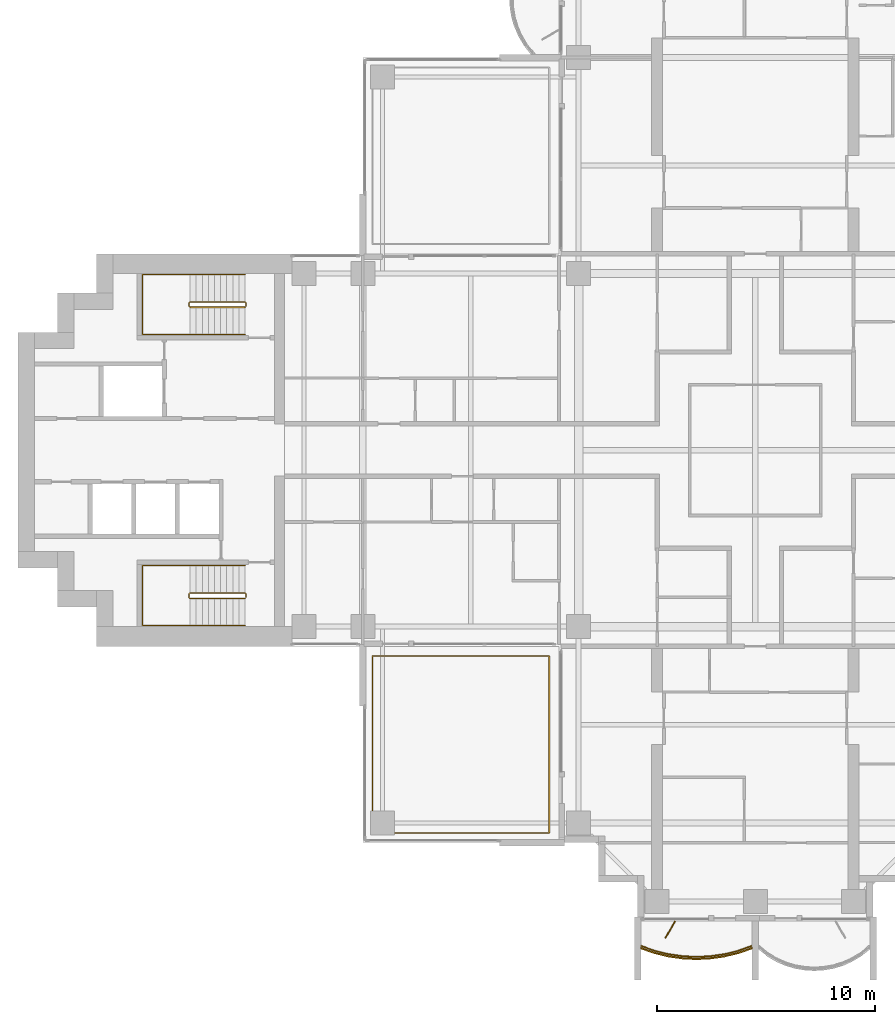
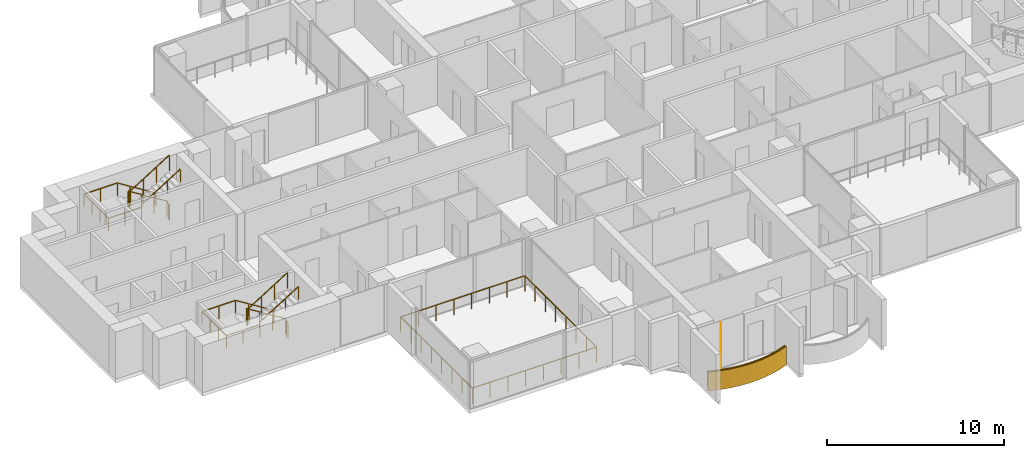
# One storey, part 16 of 19: 6 railings, 1 covering, 1 shading device.
"""IFC4 building model written with IfcOpenShell, lengths in metres."""

from ifc_helpers import new_model, si_unit, direction, frame, origin, origin_2d, place, context, subcontext, project, spatial, polyline, rectangle, outline, extrude, material, layer, layer_set, type_object, element, save


model = new_model("IFC4")

# Units and contexts
model_context = context("Model", 3, precision=1e-05, world=origin(), true_north=direction((0.0, 1.0)))
body_context = subcontext(model_context, "Body", "Model", "MODEL_VIEW")
ifc_project = project(units=[si_unit("LENGTHUNIT", "METRE"), si_unit("AREAUNIT", "SQUARE_METRE"), si_unit("VOLUMEUNIT", "CUBIC_METRE"), si_unit("PLANEANGLEUNIT", "RADIAN"), si_unit("MASSUNIT", "GRAM", prefix="KILO")], contexts=[model_context])

# Site, building, storey
site_placement = place(None, origin())
site = spatial("IfcSite", under=ifc_project, at=site_placement, CompositionType="ELEMENT")
building_placement = place(site_placement, origin())
building = spatial("IfcBuilding", under=site, at=building_placement, Name="Perihelion Cross Residences", CompositionType="ELEMENT")
storey_placement = place(building_placement, frame((0.0, 0.0, 119.89990234375)))
storey = spatial("IfcBuildingStorey", under=building, at=storey_placement, Name="L28", CompositionType="ELEMENT", Elevation=119.89990234375)

# Covering
ifc_material_1 = material(Name="Bronze anodised aluminium", Category="aluminium")
ifc_layer_1 = layer(ifc_material_1, 0.070068359375)
ifc_layer_set_1 = layer_set([ifc_layer_1], Name="Balcony fascia 1300")
covering_type = type_object("IfcCoveringType", Name="Balcony fascia 1300", PredefinedType="CLADDING", material=ifc_layer_set_1)
covering_placement = place(storey_placement, frame((0.0, 0.0, -0.199951171875)))
element("IfcCovering", 1, at=covering_placement, inside=storey, type_object=covering_type, Name="Fascia BF1 L28 south tip south bay 1", PredefinedType="CLADDING", context=body_context, shape_type="SweptSolid", body=[
    extrude(outline(polyline([(-4.63232421875, -23.090576171875), (-3.98828125, -23.247314453125), (-3.34423828125, -23.339599609375), (-2.699951171875, -23.3701171875), (-2.055908203125, -23.339599609375), (-1.411865234375, -23.247314453125), (-0.767578125, -23.090576171875), (-0.14990234375, -22.874267578125), (-0.14990234375, -22.800048828125), (-0.78759765625, -23.0234375), (-1.425048828125, -23.178466796875), (-2.0625, -23.269775390625), (-2.699951171875, -23.300048828125), (-3.33740234375, -23.269775390625), (-3.97509765625, -23.178466796875), (-4.612548828125, -23.0234375), (-5.25, -22.800048828125), (-5.25, -22.874267578125), (-4.63232421875, -23.090576171875)])), origin(), (0.0, 0.0, 1.0), 1.300048828125),
])

# Railings
ifc_material_2 = material(Name="Bronze anodised aluminium", Category="aluminium")
railing_type_1 = type_object("IfcRailingType", Name="Balcony guard 1100", PredefinedType="GUARDRAIL", material=ifc_material_2)
railing_1_placement = place(storey_placement, frame((-5.22509765625, -22.739990234375, 0.0)))
element("IfcRailing", 2, at=railing_1_placement, inside=storey, type_object=railing_type_1, Name="Guard GU1 L28 south tip south bay 1 balcony", PredefinedType="GUARDRAIL", context=body_context, shape_type="SweptSolid", body=[
    extrude(rectangle(XDim=0.048095703125, YDim=0.048095703125, at=origin_2d()), frame((0.0, 0.0, 1.076171875), z_axis=(0.939355405384, -0.342945217749, 0.0), x_axis=(0.342945217749, 0.939355405384, 0.0)), (0.0, 0.0, 1.0), 0.652099609375),
    extrude(rectangle(XDim=0.048095703125, YDim=0.048095703125, at=origin_2d()), frame((0.612548828125, -0.2236328125, 1.076171875), z_axis=(0.971676841941, -0.236313594268, 0.0), x_axis=(0.236313594268, 0.971676841941, 0.0)), (0.0, 0.0, 1.0), 0.656005859375),
    extrude(rectangle(XDim=0.048095703125, YDim=0.048095703125, at=origin_2d()), frame((1.25, -0.378662109375, 1.076171875), z_axis=(0.989903964498, -0.141739694763, 0.0), x_axis=(0.141739694763, 0.989903964498, 0.0)), (0.0, 0.0, 1.0), 0.644287109375),
    extrude(rectangle(XDim=0.048095703125, YDim=0.048095703125, at=origin_2d()), frame((1.8876953125, -0.469970703125, 1.076171875), z_axis=(0.998892243319, -0.04705620296, 0.0), x_axis=(0.04705620296, 0.998892243319, 0.0)), (0.0, 0.0, 1.0), 0.63818359375),
    extrude(rectangle(XDim=0.048095703125, YDim=0.048095703125, at=origin_2d()), frame((2.525146484375, -0.5, 1.076171875), z_axis=(0.998892243319, 0.04705620296, 0.0), x_axis=(-0.04705620296, 0.998892243319, 0.0)), (0.0, 0.0, 1.0), 0.63818359375),
    extrude(rectangle(XDim=0.048095703125, YDim=0.048095703125, at=origin_2d()), frame((3.16259765625, -0.469970703125, 1.076171875), z_axis=(0.989896346386, 0.141792889142, 0.0), x_axis=(-0.141792889142, 0.989896346386, 0.0)), (0.0, 0.0, 1.0), 0.64404296875),
    extrude(rectangle(XDim=0.048095703125, YDim=0.048095703125, at=origin_2d()), frame((3.800048828125, -0.378662109375, 1.076171875), z_axis=(0.971676841941, 0.236313594268, 0.0), x_axis=(-0.236313594268, 0.971676841941, 0.0)), (0.0, 0.0, 1.0), 0.656005859375),
    extrude(rectangle(XDim=0.048095703125, YDim=0.048095703125, at=origin_2d()), frame((4.4375, -0.2236328125, 1.076171875), z_axis=(0.939355405384, 0.342945217749, 0.0), x_axis=(-0.342945217749, 0.939355405384, 0.0)), (0.0, 0.0, 1.0), 0.652099609375),
    extrude(rectangle(XDim=0.0419921875, YDim=0.0419921875, at=origin_2d()), origin(), (0.0, 0.0, 1.0), 1.052001953125),
    extrude(rectangle(XDim=0.0419921875, YDim=0.0419921875, at=origin_2d()), frame((0.612548828125, -0.2236328125, 0.0)), (0.0, 0.0, 1.0), 1.052001953125),
    extrude(rectangle(XDim=0.0419921875, YDim=0.0419921875, at=origin_2d()), frame((1.25, -0.378662109375, 0.0)), (0.0, 0.0, 1.0), 1.052001953125),
    extrude(rectangle(XDim=0.0419921875, YDim=0.0419921875, at=origin_2d()), frame((1.8876953125, -0.469970703125, 0.0)), (0.0, 0.0, 1.0), 1.052001953125),
    extrude(rectangle(XDim=0.0419921875, YDim=0.0419921875, at=origin_2d()), frame((2.525146484375, -0.5, 0.0)), (0.0, 0.0, 1.0), 1.052001953125),
    extrude(rectangle(XDim=0.0419921875, YDim=0.0419921875, at=origin_2d()), frame((3.16259765625, -0.469970703125, 0.0)), (0.0, 0.0, 1.0), 1.052001953125),
    extrude(rectangle(XDim=0.0419921875, YDim=0.0419921875, at=origin_2d()), frame((3.800048828125, -0.378662109375, 0.0)), (0.0, 0.0, 1.0), 1.052001953125),
    extrude(rectangle(XDim=0.0419921875, YDim=0.0419921875, at=origin_2d()), frame((4.4375, -0.2236328125, 0.0)), (0.0, 0.0, 1.0), 1.052001953125),
    extrude(rectangle(XDim=0.0419921875, YDim=0.0419921875, at=origin_2d()), frame((5.050048828125, 0.0, 0.0)), (0.0, 0.0, 1.0), 1.052001953125),
])
railing_2_placement = place(storey_placement, frame((-9.449951171875, -17.550048828125, 0.0)))
element("IfcRailing", 3, at=railing_2_placement, inside=storey, type_object=railing_type_1, Name="Guard GU1 L28 pocket south-west 1", PredefinedType="GUARDRAIL", context=body_context, shape_type="SweptSolid", body=[
    extrude(rectangle(XDim=0.048095703125, YDim=0.048095703125, at=origin_2d()), frame((0.0, 0.0, 1.076171875), z_axis=(-1.0, 0.0, 0.0), x_axis=(0.0, -1.0, 0.0)), (0.0, 0.0, 1.0), 8.10009765625),
    extrude(rectangle(XDim=0.048095703125, YDim=0.048095703125, at=origin_2d()), frame((-8.10009765625, 0.0, 1.076171875), z_axis=(0.0, 1.0, 0.0), x_axis=(-1.0, 0.0, 0.0)), (0.0, 0.0, 1.0), 8.10009765625),
    extrude(rectangle(XDim=0.048095703125, YDim=0.048095703125, at=origin_2d()), frame((-8.10009765625, 8.10009765625, 1.076171875), z_axis=(1.0, 0.0, 0.0), x_axis=(0.0, 1.0, 0.0)), (0.0, 0.0, 1.0), 8.10009765625),
    extrude(rectangle(XDim=0.048095703125, YDim=0.048095703125, at=origin_2d()), frame((0.0, 8.10009765625, 1.076171875), z_axis=(0.0, -1.0, 0.0), x_axis=(1.0, 0.0, 0.0)), (0.0, 0.0, 1.0), 8.10009765625),
    extrude(rectangle(XDim=0.0419921875, YDim=0.0419921875, at=origin_2d()), origin(), (0.0, 0.0, 1.0), 1.052001953125),
    extrude(rectangle(XDim=0.0419921875, YDim=0.0419921875, at=origin_2d()), frame((-1.1572265625, 0.0, 0.0)), (0.0, 0.0, 1.0), 1.052001953125),
    extrude(rectangle(XDim=0.0419921875, YDim=0.0419921875, at=origin_2d()), frame((-2.314208984375, 0.0, 0.0)), (0.0, 0.0, 1.0), 1.052001953125),
    extrude(rectangle(XDim=0.0419921875, YDim=0.0419921875, at=origin_2d()), frame((-3.471435546875, 0.0, 0.0)), (0.0, 0.0, 1.0), 1.052001953125),
    extrude(rectangle(XDim=0.0419921875, YDim=0.0419921875, at=origin_2d()), frame((-4.628662109375, 0.0, 0.0)), (0.0, 0.0, 1.0), 1.052001953125),
    extrude(rectangle(XDim=0.0419921875, YDim=0.0419921875, at=origin_2d()), frame((-5.785888671875, 0.0, 0.0)), (0.0, 0.0, 1.0), 1.052001953125),
    extrude(rectangle(XDim=0.0419921875, YDim=0.0419921875, at=origin_2d()), frame((-6.94287109375, 0.0, 0.0)), (0.0, 0.0, 1.0), 1.052001953125),
    extrude(rectangle(XDim=0.0419921875, YDim=0.0419921875, at=origin_2d()), frame((-8.10009765625, 0.0, 0.0)), (0.0, 0.0, 1.0), 1.052001953125),
    extrude(rectangle(XDim=0.0419921875, YDim=0.0419921875, at=origin_2d()), frame((-8.10009765625, 1.1572265625, 0.0)), (0.0, 0.0, 1.0), 1.052001953125),
    extrude(rectangle(XDim=0.0419921875, YDim=0.0419921875, at=origin_2d()), frame((-8.10009765625, 2.314208984375, 0.0)), (0.0, 0.0, 1.0), 1.052001953125),
    extrude(rectangle(XDim=0.0419921875, YDim=0.0419921875, at=origin_2d()), frame((-8.10009765625, 3.471435546875, 0.0)), (0.0, 0.0, 1.0), 1.052001953125),
    extrude(rectangle(XDim=0.0419921875, YDim=0.0419921875, at=origin_2d()), frame((-8.10009765625, 4.628662109375, 0.0)), (0.0, 0.0, 1.0), 1.052001953125),
    extrude(rectangle(XDim=0.0419921875, YDim=0.0419921875, at=origin_2d()), frame((-8.10009765625, 5.785888671875, 0.0)), (0.0, 0.0, 1.0), 1.052001953125),
    extrude(rectangle(XDim=0.0419921875, YDim=0.0419921875, at=origin_2d()), frame((-8.10009765625, 6.94287109375, 0.0)), (0.0, 0.0, 1.0), 1.052001953125),
    extrude(rectangle(XDim=0.0419921875, YDim=0.0419921875, at=origin_2d()), frame((-8.10009765625, 8.10009765625, 0.0)), (0.0, 0.0, 1.0), 1.052001953125),
    extrude(rectangle(XDim=0.0419921875, YDim=0.0419921875, at=origin_2d()), frame((-6.94287109375, 8.10009765625, 0.0)), (0.0, 0.0, 1.0), 1.052001953125),
    extrude(rectangle(XDim=0.0419921875, YDim=0.0419921875, at=origin_2d()), frame((-5.785888671875, 8.10009765625, 0.0)), (0.0, 0.0, 1.0), 1.052001953125),
    extrude(rectangle(XDim=0.0419921875, YDim=0.0419921875, at=origin_2d()), frame((-4.628662109375, 8.10009765625, 0.0)), (0.0, 0.0, 1.0), 1.052001953125),
    extrude(rectangle(XDim=0.0419921875, YDim=0.0419921875, at=origin_2d()), frame((-3.471435546875, 8.10009765625, 0.0)), (0.0, 0.0, 1.0), 1.052001953125),
    extrude(rectangle(XDim=0.0419921875, YDim=0.0419921875, at=origin_2d()), frame((-2.314208984375, 8.10009765625, 0.0)), (0.0, 0.0, 1.0), 1.052001953125),
    extrude(rectangle(XDim=0.0419921875, YDim=0.0419921875, at=origin_2d()), frame((-1.1572265625, 8.10009765625, 0.0)), (0.0, 0.0, 1.0), 1.052001953125),
    extrude(rectangle(XDim=0.0419921875, YDim=0.0419921875, at=origin_2d()), frame((0.0, 8.10009765625, 0.0)), (0.0, 0.0, 1.0), 1.052001953125),
    extrude(rectangle(XDim=0.0419921875, YDim=0.0419921875, at=origin_2d()), frame((0.0, 6.94287109375, 0.0)), (0.0, 0.0, 1.0), 1.052001953125),
    extrude(rectangle(XDim=0.0419921875, YDim=0.0419921875, at=origin_2d()), frame((0.0, 5.785888671875, 0.0)), (0.0, 0.0, 1.0), 1.052001953125),
    extrude(rectangle(XDim=0.0419921875, YDim=0.0419921875, at=origin_2d()), frame((0.0, 4.628662109375, 0.0)), (0.0, 0.0, 1.0), 1.052001953125),
    extrude(rectangle(XDim=0.0419921875, YDim=0.0419921875, at=origin_2d()), frame((0.0, 3.471435546875, 0.0)), (0.0, 0.0, 1.0), 1.052001953125),
    extrude(rectangle(XDim=0.0419921875, YDim=0.0419921875, at=origin_2d()), frame((0.0, 2.314208984375, 0.0)), (0.0, 0.0, 1.0), 1.052001953125),
    extrude(rectangle(XDim=0.0419921875, YDim=0.0419921875, at=origin_2d()), frame((0.0, 1.1572265625, 0.0)), (0.0, 0.0, 1.0), 1.052001953125),
])

# Shading device
ifc_material_3 = material(Name="Bronze anodised aluminium", Category="aluminium")
ifc_layer_2 = layer(ifc_material_3, 0.050048828125)
ifc_layer_set_2 = layer_set([ifc_layer_2], Name="Bronze fin 900")
shading_device_type = type_object("IfcShadingDeviceType", Name="Bronze fin 900", PredefinedType="USERDEFINED", material=ifc_layer_set_2)
shading_device_placement = place(storey_placement, frame((-3.89990234375, -21.98974609375, 0.0), z_axis=(0.0, 0.0, 1.0), x_axis=(-0.5, -0.866025403784, 0.0)))
element("IfcShadingDevice", 4, at=shading_device_placement, inside=storey, type_object=shading_device_type, Name="Fin FN1 L28 south tip south bay 1", ObjectType="FIN", PredefinedType="USERDEFINED", context=body_context, shape_type="SweptSolid", body=[
    extrude(rectangle(XDim=0.89990234375, YDim=0.050048828125, at=origin_2d()), origin(), (0.0, 0.0, 1.0), 3.25),
])

# Railings
ifc_material_4 = material(Name="Stainless steel", Category="steel")
railing_type_2 = type_object("IfcRailingType", Name="Stair guard 1100", PredefinedType="GUARDRAIL", material=ifc_material_4)
railing_3_placement = place(storey_placement, frame((-23.35009765625, 6.60009765625, 0.0)))
element("IfcRailing", 5, at=railing_3_placement, inside=storey, type_object=railing_type_2, Name="L28 ST-W1 stair guard 1", PredefinedType="GUARDRAIL", context=body_context, shape_type="SweptSolid", body=[
    extrude(rectangle(XDim=0.048095703125, YDim=0.048095703125, at=origin_2d()), frame((0.0, 0.0, 1.076171875), z_axis=(0.0, 1.0, 0.0), x_axis=(-1.0, 0.0, 0.0)), (0.0, 0.0, 1.0), 0.14990234375),
    extrude(rectangle(XDim=0.048095703125, YDim=0.048095703125, at=origin_2d()), frame((0.0, 0.14990234375, 1.076171875), z_axis=(-0.263862480399, 0.265155923931, 0.927399011991), x_axis=(-0.708833529934, -0.705375805398, 0.0)), (0.0, 0.0, 1.0), 0.188720703125),
    extrude(rectangle(XDim=0.048095703125, YDim=0.048095703125, at=origin_2d()), frame((-0.0498046875, 0.199951171875, 1.2509765625), z_axis=(-0.848007534815, 0.0, 0.529984170421), x_axis=(0.0, -1.0, 0.0)), (0.0, 0.0, 1.0), 2.9716796875),
    extrude(rectangle(XDim=0.048095703125, YDim=0.048095703125, at=origin_2d()), frame((-2.56982421875, 0.199951171875, 2.826171875), z_axis=(-0.707106781187, -0.707106781187, 0.0), x_axis=(0.707106781187, -0.707106781187, 0.0)), (0.0, 0.0, 1.0), 0.07080078125),
    extrude(rectangle(XDim=0.048095703125, YDim=0.048095703125, at=origin_2d()), frame((-2.619873046875, 0.14990234375, 2.826171875), z_axis=(0.0, -1.0, 0.0), x_axis=(1.0, 0.0, 0.0)), (0.0, 0.0, 1.0), 0.14990234375),
    extrude(rectangle(XDim=0.048095703125, YDim=0.048095703125, at=origin_2d()), frame((-2.619873046875, 0.0, 2.826171875), z_axis=(0.265065253269, -0.265065253269, 0.927081885822), x_axis=(0.707106781187, 0.707106781187, 0.0)), (0.0, 0.0, 1.0), 0.188720703125),
    extrude(rectangle(XDim=0.048095703125, YDim=0.048095703125, at=origin_2d()), frame((-2.56982421875, -0.050048828125, 3.0009765625), z_axis=(0.848007534815, 0.0, 0.529984170421), x_axis=(0.0, 1.0, 0.0)), (0.0, 0.0, 1.0), 2.9716796875),
    extrude(rectangle(XDim=0.0419921875, YDim=0.0419921875, at=origin_2d()), origin(), (0.0, 0.0, 1.0), 1.052001953125),
    extrude(rectangle(XDim=0.0419921875, YDim=0.0419921875, at=origin_2d()), frame((0.0, 0.14990234375, 0.0)), (0.0, 0.0, 1.0), 1.052001953125),
    extrude(rectangle(XDim=0.0419921875, YDim=0.0419921875, at=origin_2d()), frame((-0.0498046875, 0.199951171875, 0.175048828125)), (0.0, 0.0, 1.0), 1.052001953125),
    extrude(rectangle(XDim=0.0419921875, YDim=0.0419921875, at=origin_2d()), frame((-0.889892578125, 0.199951171875, 0.699951171875)), (0.0, 0.0, 1.0), 1.052001953125),
    extrude(rectangle(XDim=0.0419921875, YDim=0.0419921875, at=origin_2d()), frame((-1.729736328125, 0.199951171875, 1.22509765625)), (0.0, 0.0, 1.0), 1.052001953125),
    extrude(rectangle(XDim=0.0419921875, YDim=0.0419921875, at=origin_2d()), frame((-2.56982421875, 0.199951171875, 1.75)), (0.0, 0.0, 1.0), 1.052001953125),
    extrude(rectangle(XDim=0.0419921875, YDim=0.0419921875, at=origin_2d()), frame((-2.619873046875, 0.14990234375, 1.75)), (0.0, 0.0, 1.0), 1.052001953125),
    extrude(rectangle(XDim=0.0419921875, YDim=0.0419921875, at=origin_2d()), frame((-2.619873046875, 0.0, 1.75)), (0.0, 0.0, 1.0), 1.052001953125),
    extrude(rectangle(XDim=0.0419921875, YDim=0.0419921875, at=origin_2d()), frame((-2.56982421875, -0.050048828125, 1.925048828125)), (0.0, 0.0, 1.0), 1.052001953125),
    extrude(rectangle(XDim=0.0419921875, YDim=0.0419921875, at=origin_2d()), frame((-1.729736328125, -0.050048828125, 2.449951171875)), (0.0, 0.0, 1.0), 1.052001953125),
    extrude(rectangle(XDim=0.0419921875, YDim=0.0419921875, at=origin_2d()), frame((-0.889892578125, -0.050048828125, 2.97509765625)), (0.0, 0.0, 1.0), 1.052001953125),
    extrude(rectangle(XDim=0.0419921875, YDim=0.0419921875, at=origin_2d()), frame((-0.0498046875, -0.050048828125, 3.5)), (0.0, 0.0, 1.0), 1.052001953125),
])
railing_4_placement = place(storey_placement, frame((-23.35009765625, -6.75, 0.0)))
element("IfcRailing", 6, at=railing_4_placement, inside=storey, type_object=railing_type_2, Name="L28 ST-W2 stair guard 1", PredefinedType="GUARDRAIL", context=body_context, shape_type="SweptSolid", body=[
    extrude(rectangle(XDim=0.048095703125, YDim=0.048095703125, at=origin_2d()), frame((0.0, 0.0, 1.076171875), z_axis=(0.0, 1.0, 0.0), x_axis=(-1.0, 0.0, 0.0)), (0.0, 0.0, 1.0), 0.14990234375),
    extrude(rectangle(XDim=0.048095703125, YDim=0.048095703125, at=origin_2d()), frame((0.0, 0.14990234375, 1.076171875), z_axis=(-0.263862480399, 0.265155923931, 0.927399011991), x_axis=(-0.708833529934, -0.705375805398, 0.0)), (0.0, 0.0, 1.0), 0.188720703125),
    extrude(rectangle(XDim=0.048095703125, YDim=0.048095703125, at=origin_2d()), frame((-0.0498046875, 0.199951171875, 1.2509765625), z_axis=(-0.848007534815, 0.0, 0.529984170421), x_axis=(0.0, -1.0, 0.0)), (0.0, 0.0, 1.0), 2.9716796875),
    extrude(rectangle(XDim=0.048095703125, YDim=0.048095703125, at=origin_2d()), frame((-2.56982421875, 0.199951171875, 2.826171875), z_axis=(-0.707106781187, -0.707106781187, 0.0), x_axis=(0.707106781187, -0.707106781187, 0.0)), (0.0, 0.0, 1.0), 0.07080078125),
    extrude(rectangle(XDim=0.048095703125, YDim=0.048095703125, at=origin_2d()), frame((-2.619873046875, 0.14990234375, 2.826171875), z_axis=(0.0, -1.0, 0.0), x_axis=(1.0, 0.0, 0.0)), (0.0, 0.0, 1.0), 0.14990234375),
    extrude(rectangle(XDim=0.048095703125, YDim=0.048095703125, at=origin_2d()), frame((-2.619873046875, 0.0, 2.826171875), z_axis=(0.265065253269, -0.265065253269, 0.927081885822), x_axis=(0.707106781187, 0.707106781187, 0.0)), (0.0, 0.0, 1.0), 0.188720703125),
    extrude(rectangle(XDim=0.048095703125, YDim=0.048095703125, at=origin_2d()), frame((-2.56982421875, -0.050048828125, 3.0009765625), z_axis=(0.848007534815, 0.0, 0.529984170421), x_axis=(0.0, 1.0, 0.0)), (0.0, 0.0, 1.0), 2.9716796875),
    extrude(rectangle(XDim=0.0419921875, YDim=0.0419921875, at=origin_2d()), origin(), (0.0, 0.0, 1.0), 1.052001953125),
    extrude(rectangle(XDim=0.0419921875, YDim=0.0419921875, at=origin_2d()), frame((0.0, 0.14990234375, 0.0)), (0.0, 0.0, 1.0), 1.052001953125),
    extrude(rectangle(XDim=0.0419921875, YDim=0.0419921875, at=origin_2d()), frame((-0.0498046875, 0.199951171875, 0.175048828125)), (0.0, 0.0, 1.0), 1.052001953125),
    extrude(rectangle(XDim=0.0419921875, YDim=0.0419921875, at=origin_2d()), frame((-0.889892578125, 0.199951171875, 0.699951171875)), (0.0, 0.0, 1.0), 1.052001953125),
    extrude(rectangle(XDim=0.0419921875, YDim=0.0419921875, at=origin_2d()), frame((-1.729736328125, 0.199951171875, 1.22509765625)), (0.0, 0.0, 1.0), 1.052001953125),
    extrude(rectangle(XDim=0.0419921875, YDim=0.0419921875, at=origin_2d()), frame((-2.56982421875, 0.199951171875, 1.75)), (0.0, 0.0, 1.0), 1.052001953125),
    extrude(rectangle(XDim=0.0419921875, YDim=0.0419921875, at=origin_2d()), frame((-2.619873046875, 0.14990234375, 1.75)), (0.0, 0.0, 1.0), 1.052001953125),
    extrude(rectangle(XDim=0.0419921875, YDim=0.0419921875, at=origin_2d()), frame((-2.619873046875, 0.0, 1.75)), (0.0, 0.0, 1.0), 1.052001953125),
    extrude(rectangle(XDim=0.0419921875, YDim=0.0419921875, at=origin_2d()), frame((-2.56982421875, -0.050048828125, 1.925048828125)), (0.0, 0.0, 1.0), 1.052001953125),
    extrude(rectangle(XDim=0.0419921875, YDim=0.0419921875, at=origin_2d()), frame((-1.729736328125, -0.050048828125, 2.449951171875)), (0.0, 0.0, 1.0), 1.052001953125),
    extrude(rectangle(XDim=0.0419921875, YDim=0.0419921875, at=origin_2d()), frame((-0.889892578125, -0.050048828125, 2.97509765625)), (0.0, 0.0, 1.0), 1.052001953125),
    extrude(rectangle(XDim=0.0419921875, YDim=0.0419921875, at=origin_2d()), frame((-0.0498046875, -0.050048828125, 3.5)), (0.0, 0.0, 1.0), 1.052001953125),
])
ifc_material_5 = material(Name="Stainless steel", Category="steel")
railing_type_3 = type_object("IfcRailingType", Name="Stair handrail 900", PredefinedType="HANDRAIL", material=ifc_material_5)
railing_5_placement = place(storey_placement, frame((-23.39990234375, 8.050048828125, 0.175048828125)))
element("IfcRailing", 7, at=railing_5_placement, inside=storey, type_object=railing_type_3, Name="L28 ST-W1 stair handrail 1", PredefinedType="HANDRAIL", context=body_context, shape_type="SweptSolid", body=[
    extrude(rectangle(XDim=0.048095703125, YDim=0.048095703125, at=origin_2d()), frame((0.0, 0.0, 0.8759765625), z_axis=(-0.848007534815, 0.0, 0.529984170421), x_axis=(0.0, -1.0, 0.0)), (0.0, 0.0, 1.0), 2.9716796875),
    extrude(rectangle(XDim=0.048095703125, YDim=0.048095703125, at=origin_2d()), frame((-2.52001953125, 0.0, 2.45068359375), z_axis=(-1.0, 0.0, 0.0), x_axis=(0.0, -1.0, 0.0)), (0.0, 0.0, 1.0), 2.18017578125),
    extrude(rectangle(XDim=0.048095703125, YDim=0.048095703125, at=origin_2d()), frame((-4.7001953125, 0.0, 2.45068359375), z_axis=(0.0, -1.0, 0.0), x_axis=(1.0, 0.0, 0.0)), (0.0, 0.0, 1.0), 2.75),
    extrude(rectangle(XDim=0.048095703125, YDim=0.048095703125, at=origin_2d()), frame((-4.7001953125, -2.75, 2.45068359375), z_axis=(1.0, 0.0, 0.0), x_axis=(0.0, 1.0, 0.0)), (0.0, 0.0, 1.0), 2.18017578125),
    extrude(rectangle(XDim=0.048095703125, YDim=0.048095703125, at=origin_2d()), frame((-2.52001953125, -2.75, 2.45068359375), z_axis=(0.0, 0.0, 1.0), x_axis=(1.0, 0.0, 0.0)), (0.0, 0.0, 1.0), 0.175048828125),
    extrude(rectangle(XDim=0.048095703125, YDim=0.048095703125, at=origin_2d()), frame((-2.52001953125, -2.75, 2.6259765625), z_axis=(0.848007534815, 0.0, 0.529984170421), x_axis=(0.0, 1.0, 0.0)), (0.0, 0.0, 1.0), 2.9716796875),
    extrude(rectangle(XDim=0.0419921875, YDim=0.0419921875, at=origin_2d()), origin(), (0.0, 0.0, 1.0), 0.851806640625),
    extrude(rectangle(XDim=0.0419921875, YDim=0.0419921875, at=origin_2d()), frame((-0.840087890625, 0.0, 0.52490234375)), (0.0, 0.0, 1.0), 0.851806640625),
    extrude(rectangle(XDim=0.0419921875, YDim=0.0419921875, at=origin_2d()), frame((-1.679931640625, 0.0, 1.050048828125)), (0.0, 0.0, 1.0), 0.851806640625),
    extrude(rectangle(XDim=0.0419921875, YDim=0.0419921875, at=origin_2d()), frame((-2.52001953125, 0.0, 1.574951171875)), (0.0, 0.0, 1.0), 0.851806640625),
    extrude(rectangle(XDim=0.0419921875, YDim=0.0419921875, at=origin_2d()), frame((-3.610107421875, 0.0, 1.574951171875)), (0.0, 0.0, 1.0), 0.851806640625),
    extrude(rectangle(XDim=0.0419921875, YDim=0.0419921875, at=origin_2d()), frame((-4.7001953125, 0.0, 1.574951171875)), (0.0, 0.0, 1.0), 0.851806640625),
    extrude(rectangle(XDim=0.0419921875, YDim=0.0419921875, at=origin_2d()), frame((-4.7001953125, -0.916748046875, 1.574951171875)), (0.0, 0.0, 1.0), 0.851806640625),
    extrude(rectangle(XDim=0.0419921875, YDim=0.0419921875, at=origin_2d()), frame((-4.7001953125, -1.833251953125, 1.574951171875)), (0.0, 0.0, 1.0), 0.851806640625),
    extrude(rectangle(XDim=0.0419921875, YDim=0.0419921875, at=origin_2d()), frame((-4.7001953125, -2.75, 1.574951171875)), (0.0, 0.0, 1.0), 0.851806640625),
    extrude(rectangle(XDim=0.0419921875, YDim=0.0419921875, at=origin_2d()), frame((-3.610107421875, -2.75, 1.574951171875)), (0.0, 0.0, 1.0), 0.851806640625),
    extrude(rectangle(XDim=0.0419921875, YDim=0.0419921875, at=origin_2d()), frame((-2.52001953125, -2.75, 1.574951171875)), (0.0, 0.0, 1.0), 0.851806640625),
    extrude(rectangle(XDim=0.0419921875, YDim=0.0419921875, at=origin_2d()), frame((-2.52001953125, -2.75, 1.75)), (0.0, 0.0, 1.0), 0.851806640625),
    extrude(rectangle(XDim=0.0419921875, YDim=0.0419921875, at=origin_2d()), frame((-1.679931640625, -2.75, 2.27490234375)), (0.0, 0.0, 1.0), 0.851806640625),
    extrude(rectangle(XDim=0.0419921875, YDim=0.0419921875, at=origin_2d()), frame((-0.840087890625, -2.75, 2.800048828125)), (0.0, 0.0, 1.0), 0.851806640625),
    extrude(rectangle(XDim=0.0419921875, YDim=0.0419921875, at=origin_2d()), frame((0.0, -2.75, 3.324951171875)), (0.0, 0.0, 1.0), 0.851806640625),
])
railing_6_placement = place(storey_placement, frame((-23.39990234375, -5.300048828125, 0.175048828125)))
element("IfcRailing", 8, at=railing_6_placement, inside=storey, type_object=railing_type_3, Name="L28 ST-W2 stair handrail 1", PredefinedType="HANDRAIL", context=body_context, shape_type="SweptSolid", body=[
    extrude(rectangle(XDim=0.048095703125, YDim=0.048095703125, at=origin_2d()), frame((0.0, 0.0, 0.8759765625), z_axis=(-0.848007534815, 0.0, 0.529984170421), x_axis=(0.0, -1.0, 0.0)), (0.0, 0.0, 1.0), 2.9716796875),
    extrude(rectangle(XDim=0.048095703125, YDim=0.048095703125, at=origin_2d()), frame((-2.52001953125, 0.0, 2.45068359375), z_axis=(-1.0, 0.0, 0.0), x_axis=(0.0, -1.0, 0.0)), (0.0, 0.0, 1.0), 2.18017578125),
    extrude(rectangle(XDim=0.048095703125, YDim=0.048095703125, at=origin_2d()), frame((-4.7001953125, 0.0, 2.45068359375), z_axis=(0.0, -1.0, 0.0), x_axis=(1.0, 0.0, 0.0)), (0.0, 0.0, 1.0), 2.75),
    extrude(rectangle(XDim=0.048095703125, YDim=0.048095703125, at=origin_2d()), frame((-4.7001953125, -2.75, 2.45068359375), z_axis=(1.0, 0.0, 0.0), x_axis=(0.0, 1.0, 0.0)), (0.0, 0.0, 1.0), 2.18017578125),
    extrude(rectangle(XDim=0.048095703125, YDim=0.048095703125, at=origin_2d()), frame((-2.52001953125, -2.75, 2.45068359375), z_axis=(0.0, 0.0, 1.0), x_axis=(1.0, 0.0, 0.0)), (0.0, 0.0, 1.0), 0.175048828125),
    extrude(rectangle(XDim=0.048095703125, YDim=0.048095703125, at=origin_2d()), frame((-2.52001953125, -2.75, 2.6259765625), z_axis=(0.848007534815, 0.0, 0.529984170421), x_axis=(0.0, 1.0, 0.0)), (0.0, 0.0, 1.0), 2.9716796875),
    extrude(rectangle(XDim=0.0419921875, YDim=0.0419921875, at=origin_2d()), origin(), (0.0, 0.0, 1.0), 0.851806640625),
    extrude(rectangle(XDim=0.0419921875, YDim=0.0419921875, at=origin_2d()), frame((-0.840087890625, 0.0, 0.52490234375)), (0.0, 0.0, 1.0), 0.851806640625),
    extrude(rectangle(XDim=0.0419921875, YDim=0.0419921875, at=origin_2d()), frame((-1.679931640625, 0.0, 1.050048828125)), (0.0, 0.0, 1.0), 0.851806640625),
    extrude(rectangle(XDim=0.0419921875, YDim=0.0419921875, at=origin_2d()), frame((-2.52001953125, 0.0, 1.574951171875)), (0.0, 0.0, 1.0), 0.851806640625),
    extrude(rectangle(XDim=0.0419921875, YDim=0.0419921875, at=origin_2d()), frame((-3.610107421875, 0.0, 1.574951171875)), (0.0, 0.0, 1.0), 0.851806640625),
    extrude(rectangle(XDim=0.0419921875, YDim=0.0419921875, at=origin_2d()), frame((-4.7001953125, 0.0, 1.574951171875)), (0.0, 0.0, 1.0), 0.851806640625),
    extrude(rectangle(XDim=0.0419921875, YDim=0.0419921875, at=origin_2d()), frame((-4.7001953125, -0.916748046875, 1.574951171875)), (0.0, 0.0, 1.0), 0.851806640625),
    extrude(rectangle(XDim=0.0419921875, YDim=0.0419921875, at=origin_2d()), frame((-4.7001953125, -1.833251953125, 1.574951171875)), (0.0, 0.0, 1.0), 0.851806640625),
    extrude(rectangle(XDim=0.0419921875, YDim=0.0419921875, at=origin_2d()), frame((-4.7001953125, -2.75, 1.574951171875)), (0.0, 0.0, 1.0), 0.851806640625),
    extrude(rectangle(XDim=0.0419921875, YDim=0.0419921875, at=origin_2d()), frame((-3.610107421875, -2.75, 1.574951171875)), (0.0, 0.0, 1.0), 0.851806640625),
    extrude(rectangle(XDim=0.0419921875, YDim=0.0419921875, at=origin_2d()), frame((-2.52001953125, -2.75, 1.574951171875)), (0.0, 0.0, 1.0), 0.851806640625),
    extrude(rectangle(XDim=0.0419921875, YDim=0.0419921875, at=origin_2d()), frame((-2.52001953125, -2.75, 1.75)), (0.0, 0.0, 1.0), 0.851806640625),
    extrude(rectangle(XDim=0.0419921875, YDim=0.0419921875, at=origin_2d()), frame((-1.679931640625, -2.75, 2.27490234375)), (0.0, 0.0, 1.0), 0.851806640625),
    extrude(rectangle(XDim=0.0419921875, YDim=0.0419921875, at=origin_2d()), frame((-0.840087890625, -2.75, 2.800048828125)), (0.0, 0.0, 1.0), 0.851806640625),
    extrude(rectangle(XDim=0.0419921875, YDim=0.0419921875, at=origin_2d()), frame((0.0, -2.75, 3.324951171875)), (0.0, 0.0, 1.0), 0.851806640625),
])

save(model, "model.ifc")
